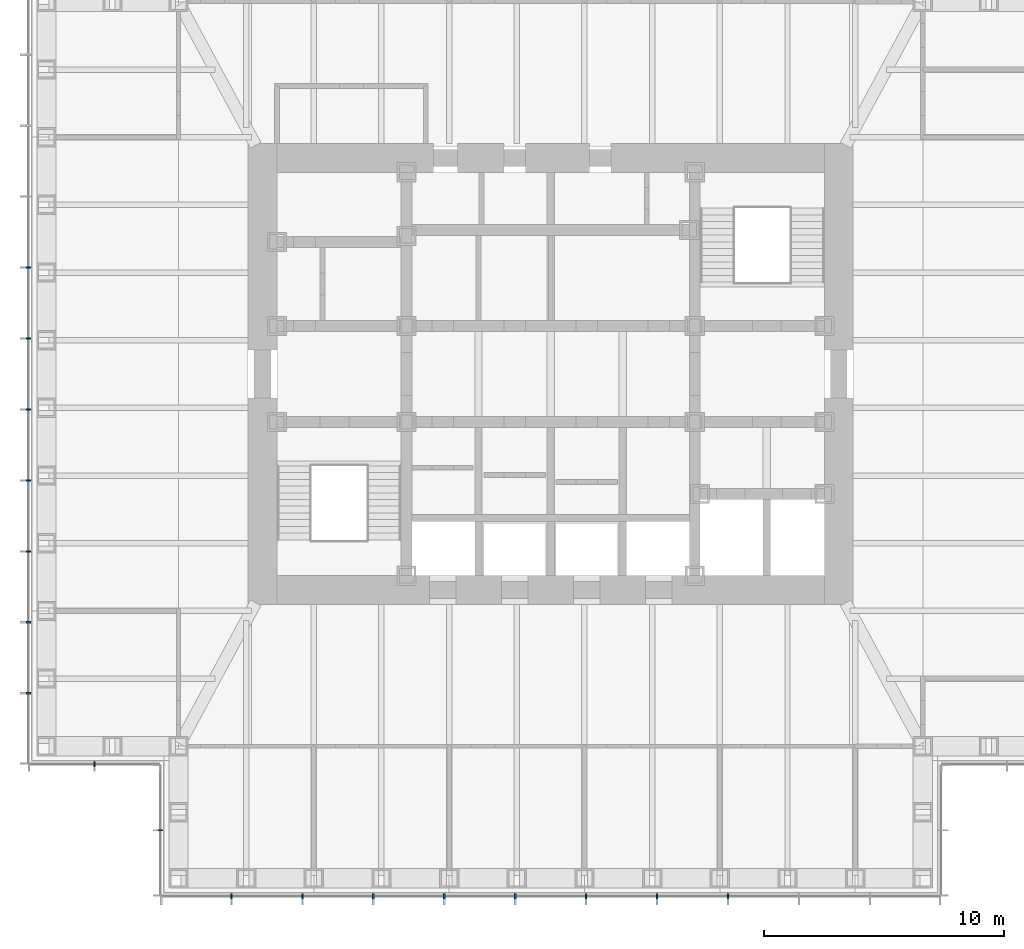
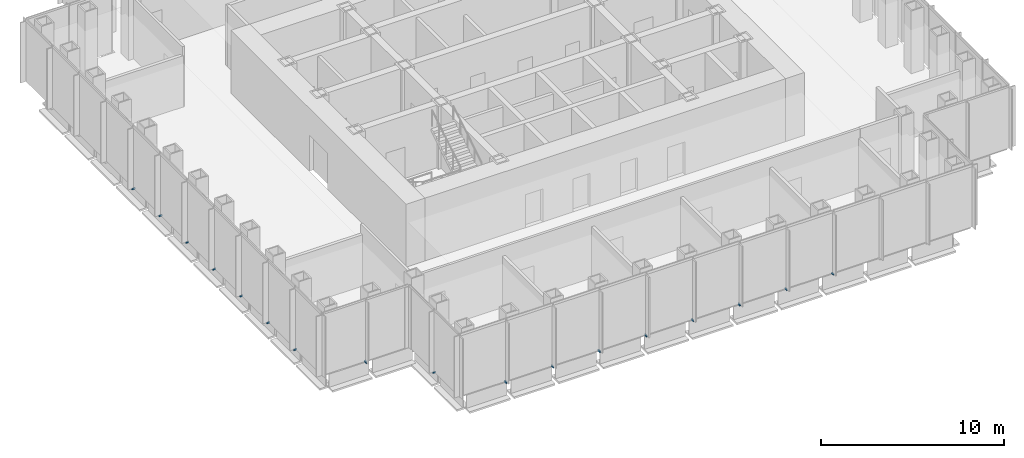
# One storey, part 11 of 16: 17 discrete accessories.
"""IFC4 building model written with IfcOpenShell, lengths in metres."""

from ifc_helpers import new_model, si_unit, direction, frame, origin, origin_2d, place, context, subcontext, project, spatial, rectangle, extrude, element, save


model = new_model("IFC4")

# Units and contexts
model_context = context("Model", 3, precision=1e-05, world=origin(), true_north=direction((0.0, 1.0)))
body_context = subcontext(model_context, "Body", "Model", "MODEL_VIEW")
ifc_project = project(units=[si_unit("LENGTHUNIT", "METRE"), si_unit("AREAUNIT", "SQUARE_METRE"), si_unit("VOLUMEUNIT", "CUBIC_METRE"), si_unit("PLANEANGLEUNIT", "RADIAN"), si_unit("MASSUNIT", "GRAM", prefix="KILO")], contexts=[model_context])

# Site, building, storey
site_placement = place(None, origin())
site = spatial("IfcSite", under=ifc_project, at=site_placement, CompositionType="ELEMENT")
building_placement = place(site_placement, origin())
building = spatial("IfcBuilding", under=site, at=building_placement, Name="Daluyong Arena Tower", CompositionType="ELEMENT")
storey_placement = place(building_placement, frame((0.0, 0.0, 227.5)))
storey = spatial("IfcBuildingStorey", under=building, at=storey_placement, Name="L51", CompositionType="ELEMENT", Elevation=227.5)

# Discrete accessories
for number, where, z_axis, x_axis, name in (
    (1, (42.70458984375, 58.25, -0.10009765625), (0.0, 0.0, 1.0), (1.0, 0.0, 0.0), "curtain wall L51 S anchor bracket 2"),
    (2, (45.6591796875, 58.25, -0.10009765625), (0.0, 0.0, 1.0), (1.0, 0.0, 0.0), "curtain wall L51 S anchor bracket 3"),
    (3, (48.613525390625, 58.25, -0.10009765625), (0.0, 0.0, 1.0), (1.0, 0.0, 0.0), "curtain wall L51 S anchor bracket 4"),
    (4, (51.568115234375, 58.25, -0.10009765625), (0.0, 0.0, 1.0), (1.0, 0.0, 0.0), "curtain wall L51 S anchor bracket 5"),
    (5, (54.522705078125, 58.25, -0.10009765625), (0.0, 0.0, 1.0), (1.0, 0.0, 0.0), "curtain wall L51 S anchor bracket 6"),
    (6, (57.477294921875, 58.25, -0.10009765625), (0.0, 0.0, 1.0), (1.0, 0.0, 0.0), "curtain wall L51 S anchor bracket 7"),
    (7, (60.431884765625, 58.25, -0.10009765625), (0.0, 0.0, 1.0), (1.0, 0.0, 0.0), "curtain wall L51 S anchor bracket 8"),
    (8, (63.386474609375, 58.25, -0.10009765625), (0.0, 0.0, 1.0), (1.0, 0.0, 0.0), "curtain wall L51 S anchor bracket 9"),
    (9, (34.25, 84.431884765625, -0.10009765625), (0.0, 0.0, 1.0), (0.0, -1.0, 0.0), "curtain wall L51 W anchor bracket 5"),
    (10, (34.25, 81.477294921875, -0.10009765625), (0.0, 0.0, 1.0), (0.0, -1.0, 0.0), "curtain wall L51 W anchor bracket 6"),
    (11, (34.25, 78.522705078125, -0.10009765625), (0.0, 0.0, 1.0), (0.0, -1.0, 0.0), "curtain wall L51 W anchor bracket 7"),
    (12, (34.25, 75.568115234375, -0.10009765625), (0.0, 0.0, 1.0), (0.0, -1.0, 0.0), "curtain wall L51 W anchor bracket 8"),
    (13, (34.25, 72.613525390625, -0.10009765625), (0.0, 0.0, 1.0), (0.0, -1.0, 0.0), "curtain wall L51 W anchor bracket 9"),
    (14, (34.25, 69.6591796875, -0.10009765625), (0.0, 0.0, 1.0), (0.0, -1.0, 0.0), "curtain wall L51 W anchor bracket 10"),
    (15, (34.25, 66.70458984375, -0.10009765625), (0.0, 0.0, 1.0), (0.0, -1.0, 0.0), "curtain wall L51 W anchor bracket 11"),
):
    element("IfcDiscreteAccessory", number, at=place(storey_placement, frame(where, z_axis=z_axis, x_axis=x_axis)), inside=storey, Name=name, PredefinedType="BRACKET", context=body_context, shape_type="SweptSolid", body=[
        extrude(rectangle(XDim=0.070068359375, YDim=0.199951171875, at=origin_2d()), origin(), (0.0, 0.0, 1.0), 0.10009765625),
    ])
for number, where, z_axis, x_axis, name in (
    (16, (37.0, 63.75, -0.10009765625), (0.0, 0.0, 1.0), (1.0, 0.0, 0.0), "curtain wall L51 SW-S anchor bracket 2"),
    (17, (39.75, 61.0, -0.10009765625), (0.0, 0.0, 1.0), (0.0, -1.0, 0.0), "curtain wall L51 SW-W anchor bracket 2"),
):
    element("IfcDiscreteAccessory", number, at=place(storey_placement, frame(where, z_axis=z_axis, x_axis=x_axis)), inside=storey, Name=name, PredefinedType="BRACKET", context=body_context, shape_type="SweptSolid", body=[
        extrude(rectangle(XDim=0.06005859375, YDim=0.199951171875, at=origin_2d()), origin(), (0.0, 0.0, 1.0), 0.10009765625),
    ])

save(model, "model.ifc")
